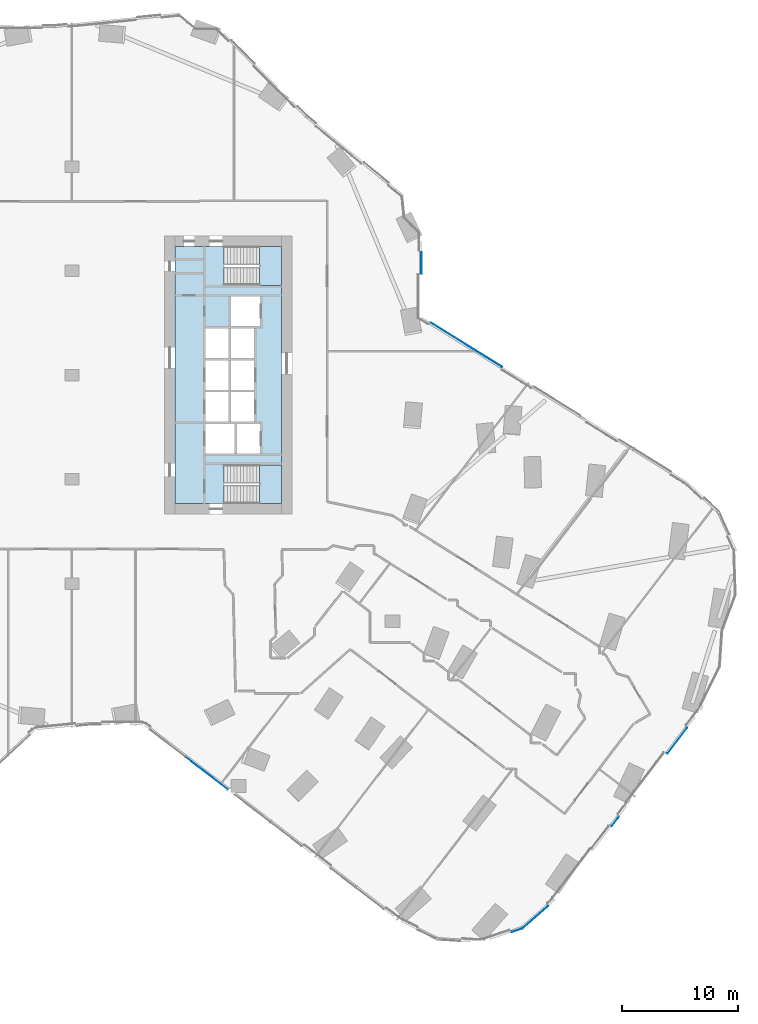
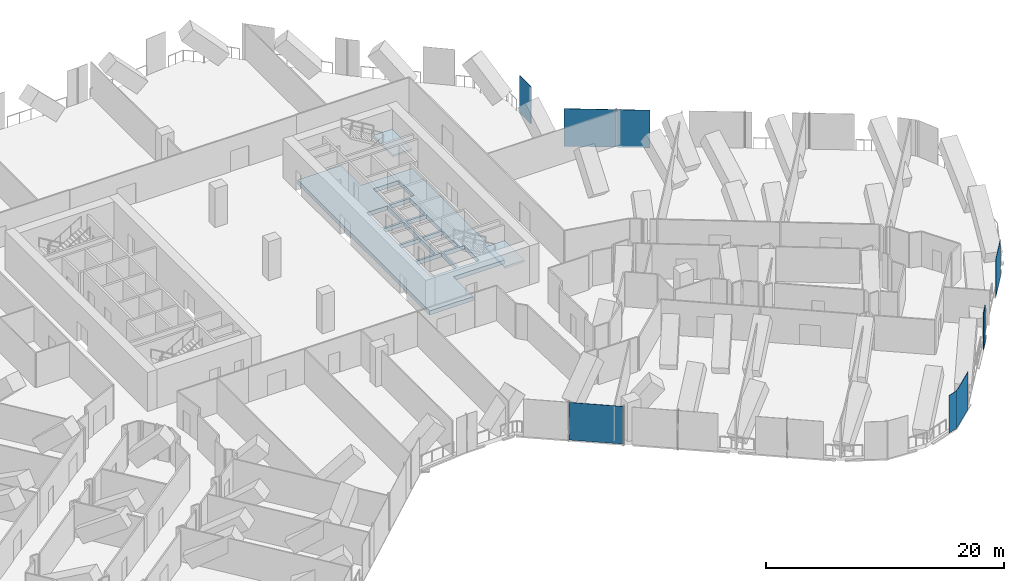
# One storey, part 19 of 32: 8 plates, 3 slabs, 8 elements without a shape of their own.
"""IFC4 building model written with IfcOpenShell, lengths in metres."""

from ifc_helpers import new_model, si_unit, direction, frame, origin, origin_2d, place, context, subcontext, project, spatial, polyline, rectangle, outline, extrude, material, layer, layer_set, type_object, element, aggregate, save


model = new_model("IFC4")

# Units and contexts
model_context = context("Model", 3, precision=1e-05, world=origin(), true_north=direction((0.0, 1.0)))
body_context = subcontext(model_context, "Body", "Model", "MODEL_VIEW")
ifc_project = project(units=[si_unit("LENGTHUNIT", "METRE"), si_unit("AREAUNIT", "SQUARE_METRE"), si_unit("VOLUMEUNIT", "CUBIC_METRE"), si_unit("PLANEANGLEUNIT", "RADIAN"), si_unit("MASSUNIT", "GRAM", prefix="KILO")], contexts=[model_context])

# Site, building, storey
site_placement = place(None, origin())
site = spatial("IfcSite", under=ifc_project, at=site_placement, CompositionType="ELEMENT")
building_placement = place(site_placement, origin())
building = spatial("IfcBuilding", under=site, at=building_placement, Name="Orlundy Tower", CompositionType="ELEMENT")
storey_placement = place(building_placement, frame((0.0, 0.0, 33.300048828125)))
storey = spatial("IfcBuildingStorey", under=building, at=storey_placement, Name="L06", CompositionType="ELEMENT", Elevation=33.300048828125)

# Curtain wall, plate
ifc_material_1 = material(Name="Aluminium bronze anodised", Category="aluminium")
curtain_wall_type = type_object("IfcCurtainWallType", Name="CW5 wall", PredefinedType="NOTDEFINED", material=ifc_material_1)
curtain_wall_1_placement = place(storey_placement, origin())
curtain_wall_1 = element("IfcCurtainWall", 1, at=curtain_wall_1_placement, inside=storey, type_object=curtain_wall_type, Name="CW5 run 014", PredefinedType="NOTDEFINED")
ifc_material_2 = material(Name="Tinted glass", Category="glass")
ifc_layer_1 = layer(ifc_material_2, 0.031982421875)
ifc_layer_set_1 = layer_set([ifc_layer_1], Name="CW5 glass panel 32")
plate_type_1 = type_object("IfcPlateType", Name="CW5 glass panel 32", PredefinedType="CURTAIN_PANEL", material=ifc_layer_set_1)
plate_1_placement = place(storey_placement, frame((30.18408203125, 9.63916015625, -0.2802734375), z_axis=(0.0, 0.0, 1.0), x_axis=(0.0, -1.0, 0.0)))
plate_1 = element("IfcPlate", 2, at=plate_1_placement, type_object=plate_type_1, Name="CW5 panel", PredefinedType="CURTAIN_PANEL", context=body_context, shape_type="SweptSolid", body=[
    extrude(rectangle(XDim=1.88623046875, YDim=0.031982421875, at=origin_2d()), origin(), (0.0, 0.0, 1.0), 3.860107421875),
])
aggregate(curtain_wall_1, [plate_1])

# Curtain wall, plates
curtain_wall_2_placement = place(storey_placement, origin())
curtain_wall_2 = element("IfcCurtainWall", 3, at=curtain_wall_2_placement, inside=storey, type_object=curtain_wall_type, Name="CW5 run 015", PredefinedType="NOTDEFINED")
plate_2_placement = place(storey_placement, frame((32.8310546875, 3.374755859375, -0.2802734375), z_axis=(0.0, 0.0, 1.0), x_axis=(0.849578027619, -0.527462960773, 0.0)))
plate_2 = element("IfcPlate", 4, at=plate_2_placement, type_object=plate_type_1, Name="CW5 panel", PredefinedType="CURTAIN_PANEL", context=body_context, shape_type="SweptSolid", body=[
    extrude(rectangle(XDim=4.355712890625, YDim=0.031982421875, at=origin_2d()), origin(), (0.0, 0.0, 1.0), 3.860107421875),
])
plate_3_placement = place(storey_placement, frame((35.92626953125, 1.453369140625, -0.2802734375), z_axis=(0.0, 0.0, 1.0), x_axis=(0.849578027619, -0.527462960773, 0.0)))
plate_3 = element("IfcPlate", 5, at=plate_3_placement, type_object=plate_type_1, Name="CW5 panel", PredefinedType="CURTAIN_PANEL", context=body_context, shape_type="SweptSolid", body=[
    extrude(rectangle(XDim=2.830322265625, YDim=0.031982421875, at=origin_2d()), origin(), (0.0, 0.0, 1.0), 3.860107421875),
])
aggregate(curtain_wall_2, [plate_2, plate_3])

# Curtain wall, plate
curtain_wall_3_placement = place(storey_placement, origin())
curtain_wall_3 = element("IfcCurtainWall", 6, at=curtain_wall_3_placement, inside=storey, type_object=curtain_wall_type, Name="CW5 run 022", PredefinedType="NOTDEFINED")
plate_4_placement = place(storey_placement, frame((46.912841796875, -38.546630859375, -0.2802734375), z_axis=(0.0, 0.0, 1.0), x_axis=(-0.60877139118, -0.793345695949, 0.0)))
plate_4 = element("IfcPlate", 7, at=plate_4_placement, type_object=plate_type_1, Name="CW5 panel", PredefinedType="CURTAIN_PANEL", context=body_context, shape_type="SweptSolid", body=[
    extrude(rectangle(XDim=0.992431640625, YDim=0.031982421875, at=origin_2d()), origin(), (0.0, 0.0, 1.0), 3.860107421875),
])

curtain_wall_4_placement = place(storey_placement, origin())
curtain_wall_4 = element("IfcCurtainWall", 8, at=curtain_wall_4_placement, inside=storey, type_object=curtain_wall_type, Name="CW5 run 023", PredefinedType="NOTDEFINED")
plate_5_placement = place(storey_placement, frame((40.00732421875, -46.806640625, -0.2802734375), z_axis=(0.0, 0.0, 1.0), x_axis=(-0.751857647447, -0.65932547196, 0.0)))
plate_5 = element("IfcPlate", 9, at=plate_5_placement, type_object=plate_type_1, Name="CW5 panel", PredefinedType="CURTAIN_PANEL", context=body_context, shape_type="SweptSolid", body=[
    extrude(rectangle(XDim=2.911865234375, YDim=0.031982421875, at=origin_2d()), origin(), (0.0, 0.0, 1.0), 3.860107421875),
])
aggregate(curtain_wall_4, [plate_5])

curtain_wall_5_placement = place(storey_placement, origin())
curtain_wall_5 = element("IfcCurtainWall", 10, at=curtain_wall_5_placement, inside=storey, type_object=curtain_wall_type, Name="CW5 run 024", PredefinedType="NOTDEFINED")
plate_6_placement = place(storey_placement, frame((38.443115234375, -47.926025390625, -0.2802734375), z_axis=(0.0, 0.0, 1.0), x_axis=(-0.946887788144, -0.321564171921, 0.0)))
plate_6 = element("IfcPlate", 11, at=plate_6_placement, type_object=plate_type_1, Name="CW5 panel", PredefinedType="CURTAIN_PANEL", context=body_context, shape_type="SweptSolid", body=[
    extrude(rectangle(XDim=0.991943359375, YDim=0.031982421875, at=origin_2d()), origin(), (0.0, 0.0, 1.0), 3.860107421875),
])
aggregate(curtain_wall_5, [plate_6])

# Plate
ifc_material_3 = material(Name="Tinted glass", Category="glass")
ifc_layer_2 = layer(ifc_material_3, 0.031982421875)
ifc_layer_set_2 = layer_set([ifc_layer_2], Name="CW5 vent panel 32")
plate_type_2 = type_object("IfcPlateType", Name="CW5 vent panel 32", PredefinedType="CURTAIN_PANEL", material=ifc_layer_set_2)
plate_7_placement = place(storey_placement, frame((52.265869140625, -31.5703125, -0.2802734375), z_axis=(0.0, 0.0, 1.0), x_axis=(-0.60877139118, -0.793345695949, 0.0)))
plate_7 = element("IfcPlate", 12, at=plate_7_placement, type_object=plate_type_2, Name="CW5 panel", PredefinedType="CURTAIN_PANEL", context=body_context, shape_type="SweptSolid", body=[
    extrude(rectangle(XDim=2.79931640625, YDim=0.031982421875, at=origin_2d()), origin(), (0.0, 0.0, 1.0), 3.860107421875),
])

aggregate(curtain_wall_3, [plate_7, plate_4])

# Curtain wall, plate
curtain_wall_6_placement = place(storey_placement, origin())
curtain_wall_6 = element("IfcCurtainWall", 13, at=curtain_wall_6_placement, inside=storey, type_object=curtain_wall_type, Name="CW5 run 027", PredefinedType="NOTDEFINED")
plate_8_placement = place(storey_placement, frame((11.641845703125, -34.37451171875, -0.2802734375), z_axis=(0.0, 0.0, 1.0), x_axis=(-0.793356622022, 0.60875715215, 0.0)))
plate_8 = element("IfcPlate", 14, at=plate_8_placement, type_object=plate_type_2, Name="CW5 panel", PredefinedType="CURTAIN_PANEL", context=body_context, shape_type="SweptSolid", body=[
    extrude(rectangle(XDim=4.580810546875, YDim=0.031982421875, at=origin_2d()), origin(), (0.0, 0.0, 1.0), 3.860107421875),
])
aggregate(curtain_wall_6, [plate_8])

# Slab
ifc_material_4 = material(Name="Concrete C50/60", Category="concrete")
ifc_layer_3 = layer(ifc_material_4, 0.419921875)
ifc_layer_set_3 = layer_set([ifc_layer_3], Name="Core Floor Slab 420")
slab_type_1 = type_object("IfcSlabType", Name="Core Floor Slab 420", PredefinedType="FLOOR", material=ifc_layer_set_3)
slab_1_placement = place(storey_placement, frame((0.0, 0.0, -0.420166015625)))
element("IfcSlab", 15, at=slab_1_placement, inside=storey, type_object=slab_type_1, Name="Core floor E07", PredefinedType="FLOOR", context=body_context, shape_type="SweptSolid", body=[
    extrude(outline(polyline([(13.14501953125, -7.75), (13.14501953125, -11.10009765625), (8.89990234375, -11.10009765625), (8.89990234375, 11.10009765625), (13.14501953125, 11.10009765625), (13.14501953125, 7.75), (18.10009765625, 7.75), (18.10009765625, -7.75), (13.14501953125, -7.75)]), holes=[polyline([(16.239990234375, 6.77490234375), (13.739990234375, 6.77490234375), (13.739990234375, 4.22509765625), (16.239990234375, 4.22509765625), (16.239990234375, 6.77490234375)]), polyline([(13.5400390625, 1.47509765625), (13.5400390625, 4.02490234375), (11.5400390625, 4.02490234375), (11.5400390625, 1.47509765625), (13.5400390625, 1.47509765625)]), polyline([(13.739990234375, 1.47509765625), (15.739990234375, 1.47509765625), (15.739990234375, 4.02490234375), (13.739990234375, 4.02490234375), (13.739990234375, 1.47509765625)]), polyline([(11.5400390625, 1.27490234375), (11.5400390625, -1.27490234375), (13.5400390625, -1.27490234375), (13.5400390625, 1.27490234375), (11.5400390625, 1.27490234375)]), polyline([(15.739990234375, 1.27490234375), (13.739990234375, 1.27490234375), (13.739990234375, -1.27490234375), (15.739990234375, -1.27490234375), (15.739990234375, 1.27490234375)]), polyline([(13.5400390625, -4.02490234375), (13.5400390625, -1.47509765625), (11.5400390625, -1.47509765625), (11.5400390625, -4.02490234375), (13.5400390625, -4.02490234375)]), polyline([(13.739990234375, -4.02490234375), (15.739990234375, -4.02490234375), (15.739990234375, -1.47509765625), (13.739990234375, -1.47509765625), (13.739990234375, -4.02490234375)]), polyline([(11.5400390625, -4.22509765625), (11.5400390625, -6.77490234375), (14.0400390625, -6.77490234375), (14.0400390625, -4.22509765625), (11.5400390625, -4.22509765625)]), polyline([(16.239990234375, -4.22509765625), (14.239990234375, -4.22509765625), (14.239990234375, -6.77490234375), (16.239990234375, -6.77490234375), (16.239990234375, -4.22509765625)])]), origin(), (0.0, 0.0, 1.0), 0.420166015625),
])

# Stair, slab
ifc_material_5 = material(Name="Concrete C50/60", Category="concrete")
stair_type = type_object("IfcStairType", Name="Exit Stair 24 risers", PredefinedType="HALF_TURN_STAIR", material=ifc_material_5)
stair_1_placement = place(storey_placement, origin())
stair_1 = element("IfcStair", 16, at=stair_1_placement, inside=storey, type_object=stair_type, Name="L06 Exit Stair ST-E1", PredefinedType="HALF_TURN_STAIR")
ifc_material_6 = material(Name="Concrete C50/60", Category="concrete")
ifc_layer_4 = layer(ifc_material_6, 0.199951171875)
ifc_layer_set_4 = layer_set([ifc_layer_4], Name="Exit Stair Landing")
slab_type_2 = type_object("IfcSlabType", Name="Exit Stair Landing", PredefinedType="LANDING", material=ifc_layer_set_4)
slab_2_placement = place(storey_placement, frame((0.0, 0.0, 1.800048828125)))
slab_2 = element("IfcSlab", 17, at=slab_2_placement, type_object=slab_type_2, Name="ST-E1 landing 1", PredefinedType="LANDING", context=body_context, shape_type="SweptSolid", body=[
    extrude(outline(polyline([(16.219970703125, -11.10009765625), (18.10009765625, -11.10009765625), (18.10009765625, -7.75), (16.219970703125, -7.75), (16.219970703125, -11.10009765625)])), origin(), (0.0, 0.0, 1.0), 0.199951171875),
])
aggregate(stair_1, [slab_2])

stair_2_placement = place(storey_placement, origin())
stair_2 = element("IfcStair", 18, at=stair_2_placement, inside=storey, type_object=stair_type, Name="L06 Exit Stair ST-E2", PredefinedType="HALF_TURN_STAIR")
slab_3_placement = place(storey_placement, frame((0.0, 0.0, 1.800048828125)))
slab_3 = element("IfcSlab", 19, at=slab_3_placement, type_object=slab_type_2, Name="ST-E2 landing 1", PredefinedType="LANDING", context=body_context, shape_type="SweptSolid", body=[
    extrude(outline(polyline([(16.219970703125, 7.75), (18.10009765625, 7.75), (18.10009765625, 11.10009765625), (16.219970703125, 11.10009765625), (16.219970703125, 7.75)])), origin(), (0.0, 0.0, 1.0), 0.199951171875),
])
aggregate(stair_2, [slab_3])

save(model, "model.ifc")
